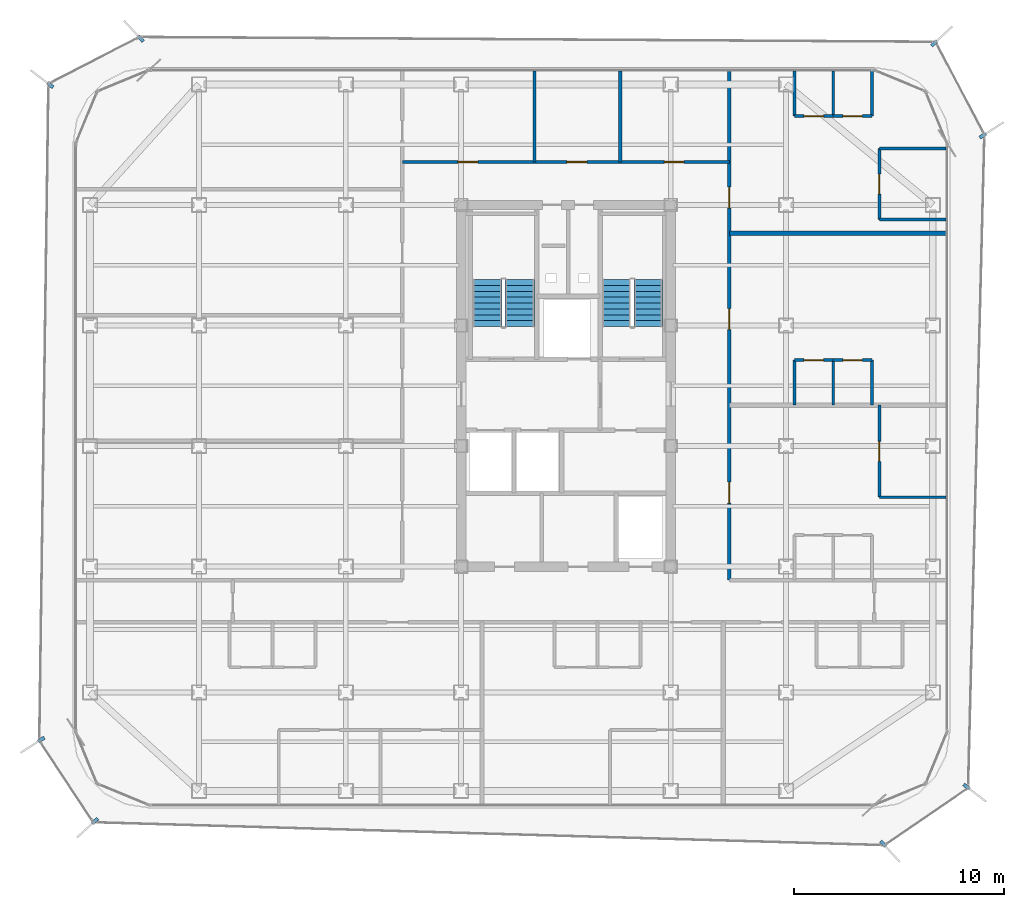
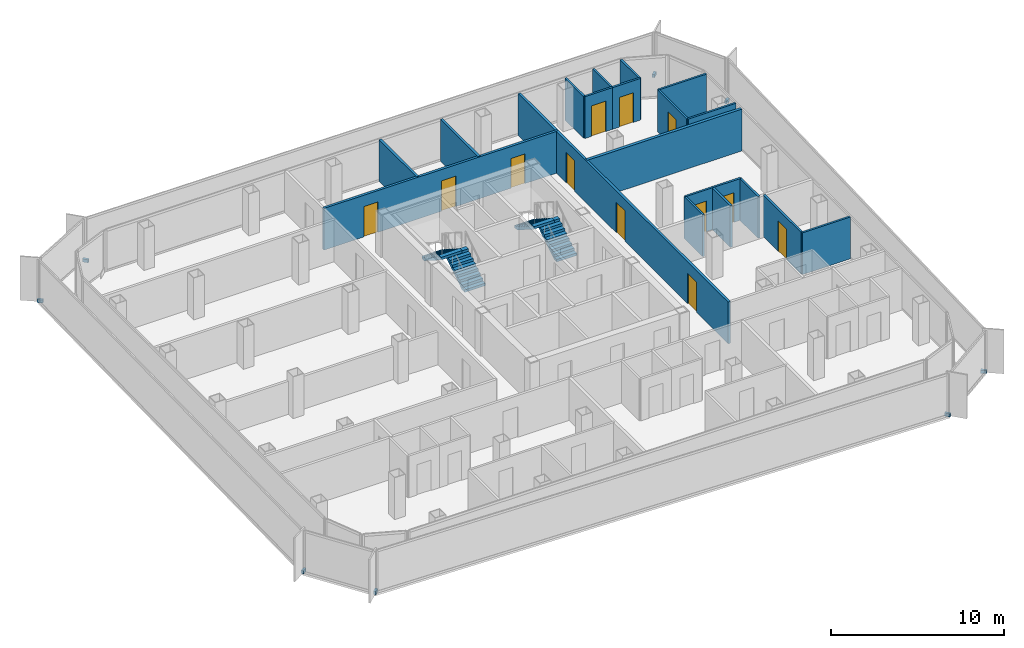
# One storey, part 12 of 15: 20 walls, 12 doors, 8 discrete accessories, 4 stair flights, 12 openings, 2 elements without a shape of their own.
"""IFC4 building model written with IfcOpenShell, lengths in metres."""

from ifc_helpers import new_model, si_unit, direction, frame, frame_2d, origin, origin_2d, place, context, subcontext, project, spatial, polyline, rectangle, outline, extrude, source, transform, mapped, material, layer, layer_set, type_object, element, fill, aggregate, save


model = new_model("IFC4")

# Units and contexts
model_context = context("Model", 3, precision=1e-05, world=origin(), true_north=direction((0.0, 1.0)))
body_context = subcontext(model_context, "Body", "Model", "MODEL_VIEW")
ifc_project = project(units=[si_unit("LENGTHUNIT", "METRE"), si_unit("AREAUNIT", "SQUARE_METRE"), si_unit("VOLUMEUNIT", "CUBIC_METRE"), si_unit("PLANEANGLEUNIT", "RADIAN"), si_unit("MASSUNIT", "GRAM", prefix="KILO")], contexts=[model_context])

# Site, building, storey
site_placement = place(None, origin())
site = spatial("IfcSite", under=ifc_project, at=site_placement, CompositionType="ELEMENT")
building_placement = place(site_placement, origin())
building = spatial("IfcBuilding", under=site, at=building_placement, Name="Kolveth Station Tower", CompositionType="ELEMENT")
storey_placement = place(building_placement, frame((0.0, 0.0, 202.800048828125)))
storey = spatial("IfcBuildingStorey", under=building, at=storey_placement, Name="L57", CompositionType="ELEMENT", Elevation=202.800048828125)

# Wall
ifc_material_1 = material(Name="Moisture-resistant gypsum partition")
ifc_layer_1 = layer(ifc_material_1, 0.135009765625)
ifc_layer_set_1 = layer_set([ifc_layer_1], Name="Moisture-resistant gypsum partition")
wall_type_1 = type_object("IfcWallType", Name="Wall_IW-135", PredefinedType="PARTITIONING", material=ifc_layer_set_1)
wall_1_placement = place(storey_placement, frame((38.449951171875, 14.80810546875, 0.0), z_axis=(0.0, 0.0, 1.0), x_axis=(1.0, 0.0, 0.0)))
element("IfcWall", 1, at=wall_1_placement, inside=storey, type_object=wall_type_1, Name="L57 Partition Wall WL-L57-E1-BDH0", PredefinedType="PARTITIONING", context=body_context, shape_type="SweptSolid", body=[
    extrude(rectangle(XDim=3.18994140625, YDim=0.135009765625, at=frame_2d((1.594970703125, 0.0))), origin(), (0.0, 0.0, 1.0), 2.949951171875),
])

# Wall, opening, door
wall_2_placement = place(storey_placement, frame((38.449951171875, 14.80810546875, 0.0), z_axis=(0.0, 0.0, 1.0), x_axis=(0.0, 1.0, 0.0)))
wall_2 = element("IfcWall", 2, at=wall_2_placement, inside=storey, type_object=wall_type_1, Name="L57 Partition Wall WL-L57-E1-BDV1", PredefinedType="PARTITIONING", context=body_context, shape_type="SweptSolid", body=[
    extrude(rectangle(XDim=4.391845703125, YDim=0.135009765625, at=frame_2d((2.19580078125, 0.0))), origin(), (0.0, 0.0, 1.0), 2.949951171875),
])
opening_1_placement = place(wall_2_placement, frame((1.716064453125, 0.0, 0.0)))
opening_1 = element("IfcOpeningElement", 3, at=opening_1_placement, cuts=wall_2, Name="Opening ID1", PredefinedType="OPENING", context=body_context, shape_type="SweptSolid", body=[
    extrude(rectangle(XDim=0.949951171875, YDim=2.14990234375, at=frame_2d((0.47509765625, 1.074951171875))), frame((0.0, 0.077392578125, 0.0), z_axis=(0.0, -1.0, 0.0), x_axis=(1.0, 0.0, 0.0)), (0.0, 0.0, 1.0), 0.155029296875),
])
ifc_material_2 = material(Name="Acoustic hardwood leaf and aluminium frame", Category="wood")
door_type_1 = type_object("IfcDoorType", Name="Door_ID1", OperationType="NOTDEFINED", PredefinedType="DOOR", material=ifc_material_2)
door_1_placement = place(opening_1_placement, frame((0.949951171875, 0.0, 0.0), z_axis=(0.0, 0.0, 1.0), x_axis=(-1.0, 0.0, 0.0)))
door_1 = element("IfcDoor", 4, at=door_1_placement, inside=storey, type_object=door_type_1, Name="Flat L57-E1 Bedroom 1 Door", OperationType="SINGLE_SWING_RIGHT", OverallHeight=2.14990234375, OverallWidth=0.949951171875, PredefinedType="DOOR", context=body_context, shape_type="SweptSolid", body=[
    extrude(rectangle(XDim=0.949951171875, YDim=2.14990234375, at=frame_2d((0.47509765625, 1.074951171875))), frame((0.0, 0.02490234375, 0.0), z_axis=(0.0, -1.0, 0.0), x_axis=(1.0, 0.0, 0.0)), (0.0, 0.0, 1.0), 0.050048828125),
])
fill(opening_1, door_1)

wall_3_placement = place(storey_placement, frame((34.39990234375, 21.35009765625, 0.0), z_axis=(0.0, 0.0, 1.0), x_axis=(1.0, 0.0, 0.0)))
wall_3 = element("IfcWall", 5, at=wall_3_placement, inside=storey, type_object=wall_type_1, Name="L57 Partition Wall WL-L57-E2-IBHK", PredefinedType="PARTITIONING", context=body_context, shape_type="SweptSolid", body=[
    extrude(rectangle(XDim=1.85009765625, YDim=0.135009765625, at=frame_2d((0.925048828125, 0.0))), origin(), (0.0, 0.0, 1.0), 2.949951171875),
])
opening_2_placement = place(wall_3_placement, frame((0.445068359375, 0.0, 0.0)))
opening_2 = element("IfcOpeningElement", 6, at=opening_2_placement, cuts=wall_3, Name="Opening ID1", PredefinedType="OPENING", context=body_context, shape_type="SweptSolid", body=[
    extrude(rectangle(XDim=0.949951171875, YDim=2.14990234375, at=frame_2d((0.47509765625, 1.074951171875))), frame((0.0, 0.077392578125, 0.0), z_axis=(0.0, -1.0, 0.0), x_axis=(1.0, 0.0, 0.0)), (0.0, 0.0, 1.0), 0.155029296875),
])
door_2_placement = place(opening_2_placement, origin())
door_2 = element("IfcDoor", 7, at=door_2_placement, inside=storey, type_object=door_type_1, Name="Flat L57-E2 Kitchen Door", OperationType="SINGLE_SWING_RIGHT", OverallHeight=2.14990234375, OverallWidth=0.949951171875, PredefinedType="DOOR", context=body_context, shape_type="SweptSolid", body=[
    extrude(rectangle(XDim=0.949951171875, YDim=2.14990234375, at=frame_2d((0.47509765625, 1.074951171875))), frame((0.0, 0.02490234375, 0.0), z_axis=(0.0, -1.0, 0.0), x_axis=(1.0, 0.0, 0.0)), (0.0, 0.0, 1.0), 0.050048828125),
])
fill(opening_2, door_2)

wall_4_placement = place(storey_placement, frame((36.25, 21.35009765625, 0.0), z_axis=(0.0, 0.0, 1.0), x_axis=(1.0, 0.0, 0.0)))
wall_4 = element("IfcWall", 8, at=wall_4_placement, inside=storey, type_object=wall_type_1, Name="L57 Partition Wall WL-L57-E2-IBHB", PredefinedType="PARTITIONING", context=body_context, shape_type="SweptSolid", body=[
    extrude(rectangle(XDim=1.85009765625, YDim=0.135009765625, at=frame_2d((0.925048828125, 0.0))), origin(), (0.0, 0.0, 1.0), 2.949951171875),
])
opening_3_placement = place(wall_4_placement, frame((0.465087890625, 0.0, 0.0)))
opening_3 = element("IfcOpeningElement", 9, at=opening_3_placement, cuts=wall_4, Name="Opening ID2", PredefinedType="OPENING", context=body_context, shape_type="SweptSolid", body=[
    extrude(rectangle(XDim=0.919921875, YDim=2.10009765625, at=frame_2d((0.4599609375, 1.050048828125))), frame((0.0, 0.077392578125, 0.0), z_axis=(0.0, -1.0, 0.0), x_axis=(1.0, 0.0, 0.0)), (0.0, 0.0, 1.0), 0.155029296875),
])
ifc_material_3 = material(Name="Moisture-resistant hardwood leaf", Category="wood")
door_type_2 = type_object("IfcDoorType", Name="Door_ID2", OperationType="NOTDEFINED", PredefinedType="DOOR", material=ifc_material_3)
door_3_placement = place(opening_3_placement, origin())
door_3 = element("IfcDoor", 10, at=door_3_placement, inside=storey, type_object=door_type_2, Name="Flat L57-E2 Bathroom Door", OperationType="SINGLE_SWING_LEFT", OverallHeight=2.10009765625, OverallWidth=0.919921875, PredefinedType="DOOR", context=body_context, shape_type="SweptSolid", body=[
    extrude(rectangle(XDim=0.919921875, YDim=2.10009765625, at=frame_2d((0.4599609375, 1.050048828125))), frame((0.0, 0.02490234375, 0.0), z_axis=(0.0, -1.0, 0.0), x_axis=(1.0, 0.0, 0.0)), (0.0, 0.0, 1.0), 0.050048828125),
])
fill(opening_3, door_3)

# Walls
for number, where, z_axis, x_axis, name in (
    (11, (34.39990234375, 19.199951171875, 0.0), (0.0, 0.0, 1.0), (0.0, 1.0, 0.0), "L57 Partition Wall WL-L57-E2-IBV0"),
    (12, (36.25, 19.199951171875, 0.0), (0.0, 0.0, 1.0), (0.0, 1.0, 0.0), "L57 Partition Wall WL-L57-E2-IBV1"),
    (13, (38.10009765625, 19.199951171875, 0.0), (0.0, 0.0, 1.0), (0.0, 1.0, 0.0), "L57 Partition Wall WL-L57-E2-IBV2"),
):
    element("IfcWall", number, at=place(storey_placement, frame(where, z_axis=z_axis, x_axis=x_axis)), inside=storey, type_object=wall_type_1, Name=name, PredefinedType="PARTITIONING", context=body_context, shape_type="SweptSolid", body=[
        extrude(rectangle(XDim=2.150146484375, YDim=0.135009765625, at=frame_2d((1.0751953125, 0.0))), origin(), (0.0, 0.0, 1.0), 2.949951171875),
    ])

# Wall, opening, door
wall_5_placement = place(storey_placement, frame((34.39990234375, 32.989990234375, 0.0), z_axis=(0.0, 0.0, 1.0), x_axis=(1.0, 0.0, 0.0)))
wall_5 = element("IfcWall", 14, at=wall_5_placement, inside=storey, type_object=wall_type_1, Name="L57 Partition Wall WL-L57-E3-IBHK", PredefinedType="PARTITIONING", context=body_context, shape_type="SweptSolid", body=[
    extrude(rectangle(XDim=1.85009765625, YDim=0.135009765625, at=frame_2d((0.925048828125, 0.0))), origin(), (0.0, 0.0, 1.0), 2.949951171875),
])
opening_4_placement = place(wall_5_placement, frame((0.445068359375, 0.0, 0.0)))
opening_4 = element("IfcOpeningElement", 15, at=opening_4_placement, cuts=wall_5, Name="Opening ID1", PredefinedType="OPENING", context=body_context, shape_type="SweptSolid", body=[
    extrude(rectangle(XDim=0.949951171875, YDim=2.14990234375, at=frame_2d((0.47509765625, 1.074951171875))), frame((0.0, 0.077392578125, 0.0), z_axis=(0.0, -1.0, 0.0), x_axis=(1.0, 0.0, 0.0)), (0.0, 0.0, 1.0), 0.155029296875),
])
door_4_placement = place(opening_4_placement, frame((0.949951171875, 0.0, 0.0), z_axis=(0.0, 0.0, 1.0), x_axis=(-1.0, 0.0, 0.0)))
door_4 = element("IfcDoor", 16, at=door_4_placement, inside=storey, type_object=door_type_1, Name="Flat L57-E3 Kitchen Door", OperationType="SINGLE_SWING_LEFT", OverallHeight=2.14990234375, OverallWidth=0.949951171875, PredefinedType="DOOR", context=body_context, shape_type="SweptSolid", body=[
    extrude(rectangle(XDim=0.949951171875, YDim=2.14990234375, at=frame_2d((0.47509765625, 1.074951171875))), frame((0.0, 0.02490234375, 0.0), z_axis=(0.0, -1.0, 0.0), x_axis=(1.0, 0.0, 0.0)), (0.0, 0.0, 1.0), 0.050048828125),
])
fill(opening_4, door_4)

wall_6_placement = place(storey_placement, frame((36.25, 32.989990234375, 0.0), z_axis=(0.0, 0.0, 1.0), x_axis=(1.0, 0.0, 0.0)))
wall_6 = element("IfcWall", 17, at=wall_6_placement, inside=storey, type_object=wall_type_1, Name="L57 Partition Wall WL-L57-E3-IBHB", PredefinedType="PARTITIONING", context=body_context, shape_type="SweptSolid", body=[
    extrude(rectangle(XDim=1.85009765625, YDim=0.135009765625, at=frame_2d((0.925048828125, 0.0))), origin(), (0.0, 0.0, 1.0), 2.949951171875),
])
opening_5_placement = place(wall_6_placement, frame((0.465087890625, 0.0, 0.0)))
opening_5 = element("IfcOpeningElement", 18, at=opening_5_placement, cuts=wall_6, Name="Opening ID2", PredefinedType="OPENING", context=body_context, shape_type="SweptSolid", body=[
    extrude(rectangle(XDim=0.919921875, YDim=2.10009765625, at=frame_2d((0.4599609375, 1.050048828125))), frame((0.0, 0.077392578125, 0.0), z_axis=(0.0, -1.0, 0.0), x_axis=(1.0, 0.0, 0.0)), (0.0, 0.0, 1.0), 0.155029296875),
])
door_5_placement = place(opening_5_placement, frame((0.919921875, 0.0, 0.0), z_axis=(0.0, 0.0, 1.0), x_axis=(-1.0, 0.0, 0.0)))
door_5 = element("IfcDoor", 19, at=door_5_placement, inside=storey, type_object=door_type_2, Name="Flat L57-E3 Bathroom Door", OperationType="SINGLE_SWING_RIGHT", OverallHeight=2.10009765625, OverallWidth=0.919921875, PredefinedType="DOOR", context=body_context, shape_type="SweptSolid", body=[
    extrude(rectangle(XDim=0.919921875, YDim=2.10009765625, at=frame_2d((0.4599609375, 1.050048828125))), frame((0.0, 0.02490234375, 0.0), z_axis=(0.0, -1.0, 0.0), x_axis=(1.0, 0.0, 0.0)), (0.0, 0.0, 1.0), 0.050048828125),
])
fill(opening_5, door_5)

# Walls
for number, where, z_axis, x_axis, name in (
    (20, (34.39990234375, 32.989990234375, 0.0), (0.0, 0.0, 1.0), (0.0, 1.0, 0.0), "L57 Partition Wall WL-L57-E3-IBV0"),
    (21, (36.25, 32.989990234375, 0.0), (0.0, 0.0, 1.0), (0.0, 1.0, 0.0), "L57 Partition Wall WL-L57-E3-IBV1"),
    (22, (38.10009765625, 32.989990234375, 0.0), (0.0, 0.0, 1.0), (0.0, 1.0, 0.0), "L57 Partition Wall WL-L57-E3-IBV2"),
):
    element("IfcWall", number, at=place(storey_placement, frame(where, z_axis=z_axis, x_axis=x_axis)), inside=storey, type_object=wall_type_1, Name=name, PredefinedType="PARTITIONING", context=body_context, shape_type="SweptSolid", body=[
        extrude(rectangle(XDim=2.14990234375, YDim=0.135009765625, at=frame_2d((1.074951171875, 0.0))), origin(), (0.0, 0.0, 1.0), 2.949951171875),
    ])
for number, where, z_axis, x_axis, name in (
    (23, (38.449951171875, 28.050048828125, 0.0), (0.0, 0.0, 1.0), (1.0, 0.0, 0.0), "L57 Partition Wall WL-L57-E3-BDH0"),
    (24, (38.449951171875, 31.449951171875, 0.0), (0.0, 0.0, 1.0), (1.0, 0.0, 0.0), "L57 Partition Wall WL-L57-E3-BDHE"),
):
    element("IfcWall", number, at=place(storey_placement, frame(where, z_axis=z_axis, x_axis=x_axis)), inside=storey, type_object=wall_type_1, Name=name, PredefinedType="PARTITIONING", context=body_context, shape_type="SweptSolid", body=[
        extrude(rectangle(XDim=3.18994140625, YDim=0.135009765625, at=frame_2d((1.594970703125, 0.0))), origin(), (0.0, 0.0, 1.0), 2.949951171875),
    ])

# Wall, opening, door
wall_7_placement = place(storey_placement, frame((38.449951171875, 28.050048828125, 0.0), z_axis=(0.0, 0.0, 1.0), x_axis=(0.0, 1.0, 0.0)))
wall_7 = element("IfcWall", 25, at=wall_7_placement, inside=storey, type_object=wall_type_1, Name="L57 Partition Wall WL-L57-E3-BDV1", PredefinedType="PARTITIONING", context=body_context, shape_type="SweptSolid", body=[
    extrude(rectangle(XDim=3.39990234375, YDim=0.135009765625, at=frame_2d((1.699951171875, 0.0))), origin(), (0.0, 0.0, 1.0), 2.949951171875),
])
opening_6_placement = place(wall_7_placement, frame((1.219970703125, 0.0, 0.0)))
opening_6 = element("IfcOpeningElement", 26, at=opening_6_placement, cuts=wall_7, Name="Opening ID1", PredefinedType="OPENING", context=body_context, shape_type="SweptSolid", body=[
    extrude(rectangle(XDim=0.949951171875, YDim=2.14990234375, at=frame_2d((0.47509765625, 1.074951171875))), frame((0.0, 0.077392578125, 0.0), z_axis=(0.0, -1.0, 0.0), x_axis=(1.0, 0.0, 0.0)), (0.0, 0.0, 1.0), 0.155029296875),
])
door_6_placement = place(opening_6_placement, frame((0.949951171875, 0.0, 0.0), z_axis=(0.0, 0.0, 1.0), x_axis=(-1.0, 0.0, 0.0)))
door_6 = element("IfcDoor", 27, at=door_6_placement, inside=storey, type_object=door_type_1, Name="Flat L57-E3 Bedroom 1 Door", OperationType="SINGLE_SWING_LEFT", OverallHeight=2.14990234375, OverallWidth=0.949951171875, PredefinedType="DOOR", context=body_context, shape_type="SweptSolid", body=[
    extrude(rectangle(XDim=0.949951171875, YDim=2.14990234375, at=frame_2d((0.47509765625, 1.074951171875))), frame((0.0, 0.02490234375, 0.0), z_axis=(0.0, -1.0, 0.0), x_axis=(1.0, 0.0, 0.0)), (0.0, 0.0, 1.0), 0.050048828125),
])
fill(opening_6, door_6)

# Wall, openings, doors
ifc_material_4 = material(Name="Acoustic double-stud gypsum partition")
ifc_layer_2 = layer(ifc_material_4, 0.1650390625)
ifc_layer_set_2 = layer_set([ifc_layer_2], Name="Acoustic double-stud gypsum partition")
wall_type_2 = type_object("IfcWallType", Name="Wall_IW-165", PredefinedType="PARTITIONING", material=ifc_layer_set_2)
wall_8_placement = place(storey_placement, frame((15.699951171875, 30.800048828125, 0.0), z_axis=(0.0, 0.0, 1.0), x_axis=(1.0, 0.0, 0.0)))
wall_8 = element("IfcWall", 28, at=wall_8_placement, inside=storey, type_object=wall_type_2, Name="L57 Partition Wall WL-L57-RN", PredefinedType="PARTITIONING", context=body_context, shape_type="SweptSolid", body=[
    extrude(rectangle(XDim=15.60009765625, YDim=0.1650390625, at=frame_2d((7.800048828125, 0.0))), origin(), (0.0, 0.0, 1.0), 2.949951171875),
])
opening_7_placement = place(wall_8_placement, frame((2.64990234375, 0.0, 0.0)))
opening_7 = element("IfcOpeningElement", 29, at=opening_7_placement, cuts=wall_8, Name="Opening ID1", PredefinedType="OPENING", context=body_context, shape_type="SweptSolid", body=[
    extrude(rectangle(XDim=0.949951171875, YDim=2.14990234375, at=frame_2d((0.47509765625, 1.074951171875))), frame((0.0, 0.092529296875, 0.0), z_axis=(0.0, -1.0, 0.0), x_axis=(1.0, 0.0, 0.0)), (0.0, 0.0, 1.0), 0.18505859375),
])
opening_8_placement = place(wall_8_placement, frame((7.85009765625, 0.0, 0.0)))
opening_8 = element("IfcOpeningElement", 30, at=opening_8_placement, cuts=wall_8, Name="Opening ID1", PredefinedType="OPENING", context=body_context, shape_type="SweptSolid", body=[
    extrude(rectangle(XDim=0.949951171875, YDim=2.14990234375, at=frame_2d((0.47509765625, 1.074951171875))), frame((0.0, 0.092529296875, 0.0), z_axis=(0.0, -1.0, 0.0), x_axis=(1.0, 0.0, 0.0)), (0.0, 0.0, 1.0), 0.18505859375),
])
opening_9_placement = place(wall_8_placement, frame((12.5, 0.0, 0.0)))
opening_9 = element("IfcOpeningElement", 31, at=opening_9_placement, cuts=wall_8, Name="Opening ID2", PredefinedType="OPENING", context=body_context, shape_type="SweptSolid", body=[
    extrude(rectangle(XDim=0.919921875, YDim=2.10009765625, at=frame_2d((0.4599609375, 1.050048828125))), frame((0.0, 0.092529296875, 0.0), z_axis=(0.0, -1.0, 0.0), x_axis=(1.0, 0.0, 0.0)), (0.0, 0.0, 1.0), 0.18505859375),
])
door_7_placement = place(opening_7_placement, origin())
door_7 = element("IfcDoor", 32, at=door_7_placement, inside=storey, type_object=door_type_1, Name="L57 Residents' Study Lounge Door", OperationType="SINGLE_SWING_LEFT", OverallHeight=2.14990234375, OverallWidth=0.949951171875, PredefinedType="DOOR", context=body_context, shape_type="SweptSolid", body=[
    extrude(rectangle(XDim=0.949951171875, YDim=2.14990234375, at=frame_2d((0.47509765625, 1.074951171875))), frame((0.0, 0.02490234375, 0.0), z_axis=(0.0, -1.0, 0.0), x_axis=(1.0, 0.0, 0.0)), (0.0, 0.0, 1.0), 0.050048828125),
])
fill(opening_7, door_7)
door_8_placement = place(opening_8_placement, origin())
door_8 = element("IfcDoor", 33, at=door_8_placement, inside=storey, type_object=door_type_1, Name="L57 Residents' Linen Store Door", OperationType="SINGLE_SWING_RIGHT", OverallHeight=2.14990234375, OverallWidth=0.949951171875, PredefinedType="DOOR", context=body_context, shape_type="SweptSolid", body=[
    extrude(rectangle(XDim=0.949951171875, YDim=2.14990234375, at=frame_2d((0.47509765625, 1.074951171875))), frame((0.0, 0.02490234375, 0.0), z_axis=(0.0, -1.0, 0.0), x_axis=(1.0, 0.0, 0.0)), (0.0, 0.0, 1.0), 0.050048828125),
])
fill(opening_8, door_8)
door_9_placement = place(opening_9_placement, origin())
door_9 = element("IfcDoor", 34, at=door_9_placement, inside=storey, type_object=door_type_2, Name="L57 Accessible Residents' WC Door", OperationType="SINGLE_SWING_LEFT", OverallHeight=2.10009765625, OverallWidth=0.919921875, PredefinedType="DOOR", context=body_context, shape_type="SweptSolid", body=[
    extrude(rectangle(XDim=0.919921875, YDim=2.10009765625, at=frame_2d((0.4599609375, 1.050048828125))), frame((0.0, 0.02490234375, 0.0), z_axis=(0.0, -1.0, 0.0), x_axis=(1.0, 0.0, 0.0)), (0.0, 0.0, 1.0), 0.050048828125),
])
fill(opening_9, door_9)

wall_9_placement = place(storey_placement, frame((31.300048828125, 10.85009765625, 0.0), z_axis=(0.0, 0.0, 1.0), x_axis=(0.0, 1.0, 0.0)))
wall_9 = element("IfcWall", 35, at=wall_9_placement, inside=storey, type_object=wall_type_2, Name="L57 Partition Wall WL-L57-RE", PredefinedType="PARTITIONING", context=body_context, shape_type="SweptSolid", body=[
    extrude(rectangle(XDim=24.289794921875, YDim=0.1650390625, at=frame_2d((12.14501953125, 0.0))), origin(), (0.0, 0.0, 1.0), 2.949951171875),
])
opening_10_placement = place(wall_9_placement, frame((3.675048828125, 0.0, 0.0)))
opening_10 = element("IfcOpeningElement", 36, at=opening_10_placement, cuts=wall_9, Name="Opening FD3", PredefinedType="OPENING", context=body_context, shape_type="SweptSolid", body=[
    extrude(rectangle(XDim=1.0, YDim=2.14990234375, at=frame_2d((0.5, 1.074951171875))), frame((0.0, 0.092529296875, 0.0), z_axis=(0.0, -1.0, 0.0), x_axis=(1.0, 0.0, 0.0)), (0.0, 0.0, 1.0), 0.18505859375),
])
opening_11_placement = place(wall_9_placement, frame((11.949951171875, 0.0, 0.0)))
opening_11 = element("IfcOpeningElement", 37, at=opening_11_placement, cuts=wall_9, Name="Opening FD3", PredefinedType="OPENING", context=body_context, shape_type="SweptSolid", body=[
    extrude(rectangle(XDim=1.0, YDim=2.14990234375, at=frame_2d((0.5, 1.074951171875))), frame((0.0, 0.092529296875, 0.0), z_axis=(0.0, -1.0, 0.0), x_axis=(1.0, 0.0, 0.0)), (0.0, 0.0, 1.0), 0.18505859375),
])
opening_12_placement = place(wall_9_placement, frame((17.75, 0.0, 0.0)))
opening_12 = element("IfcOpeningElement", 38, at=opening_12_placement, cuts=wall_9, Name="Opening FD3", PredefinedType="OPENING", context=body_context, shape_type="SweptSolid", body=[
    extrude(rectangle(XDim=1.0, YDim=2.14990234375, at=frame_2d((0.5, 1.074951171875))), frame((0.0, 0.092529296875, 0.0), z_axis=(0.0, -1.0, 0.0), x_axis=(1.0, 0.0, 0.0)), (0.0, 0.0, 1.0), 0.18505859375),
])
ifc_material_5 = material(Name="Fire-rated hardwood leaf and aluminium frame", Category="wood")
door_type_3 = type_object("IfcDoorType", Name="Door_FD3", OperationType="NOTDEFINED", PredefinedType="DOOR", material=ifc_material_5)
door_10_placement = place(opening_10_placement, frame((1.0, 0.0, 0.0), z_axis=(0.0, 0.0, 1.0), x_axis=(-1.0, 0.0, 0.0)))
door_10 = element("IfcDoor", 39, at=door_10_placement, inside=storey, type_object=door_type_3, Name="Flat L57-E1 Entrance Door", OperationType="SINGLE_SWING_LEFT", OverallHeight=2.14990234375, OverallWidth=1.0, PredefinedType="DOOR", context=body_context, shape_type="SweptSolid", body=[
    extrude(rectangle(XDim=1.0, YDim=2.14990234375, at=frame_2d((0.5, 1.074951171875))), frame((0.0, 0.02490234375, 0.0), z_axis=(0.0, -1.0, 0.0), x_axis=(1.0, 0.0, 0.0)), (0.0, 0.0, 1.0), 0.050048828125),
])
fill(opening_10, door_10)
door_11_placement = place(opening_11_placement, frame((1.0, 0.0, 0.0), z_axis=(0.0, 0.0, 1.0), x_axis=(-1.0, 0.0, 0.0)))
door_11 = element("IfcDoor", 40, at=door_11_placement, inside=storey, type_object=door_type_3, Name="Flat L57-E2 Entrance Door", OperationType="SINGLE_SWING_RIGHT", OverallHeight=2.14990234375, OverallWidth=1.0, PredefinedType="DOOR", context=body_context, shape_type="SweptSolid", body=[
    extrude(rectangle(XDim=1.0, YDim=2.14990234375, at=frame_2d((0.5, 1.074951171875))), frame((0.0, 0.02490234375, 0.0), z_axis=(0.0, -1.0, 0.0), x_axis=(1.0, 0.0, 0.0)), (0.0, 0.0, 1.0), 0.050048828125),
])
fill(opening_11, door_11)
door_12_placement = place(opening_12_placement, frame((1.0, 0.0, 0.0), z_axis=(0.0, 0.0, 1.0), x_axis=(-1.0, 0.0, 0.0)))
door_12 = element("IfcDoor", 41, at=door_12_placement, inside=storey, type_object=door_type_3, Name="Flat L57-E3 Entrance Door", OperationType="SINGLE_SWING_LEFT", OverallHeight=2.14990234375, OverallWidth=1.0, PredefinedType="DOOR", context=body_context, shape_type="SweptSolid", body=[
    extrude(rectangle(XDim=1.0, YDim=2.14990234375, at=frame_2d((0.5, 1.074951171875))), frame((0.0, 0.02490234375, 0.0), z_axis=(0.0, -1.0, 0.0), x_axis=(1.0, 0.0, 0.0)), (0.0, 0.0, 1.0), 0.050048828125),
])
fill(opening_12, door_12)

# Walls
for number, where, z_axis, x_axis, name in (
    (42, (22.0, 30.800048828125, 0.0), (0.0, 0.0, 1.0), (0.0, 1.0, 0.0), "L57 Partition Wall WL-L57-RN-P1"),
    (43, (26.10009765625, 30.800048828125, 0.0), (0.0, 0.0, 1.0), (0.0, 1.0, 0.0), "L57 Partition Wall WL-L57-RN-P2"),
):
    element("IfcWall", number, at=place(storey_placement, frame(where, z_axis=z_axis, x_axis=x_axis)), inside=storey, type_object=wall_type_2, Name=name, PredefinedType="PARTITIONING", context=body_context, shape_type="SweptSolid", body=[
        extrude(rectangle(XDim=4.33984375, YDim=0.1650390625, at=frame_2d((2.169921875, 0.0))), origin(), (0.0, 0.0, 1.0), 2.949951171875),
    ])
ifc_material_6 = material(Name="Acoustic fire-rated gypsum blockwork", Category="masonry")
ifc_layer_3 = layer(ifc_material_6, 0.199951171875)
ifc_layer_set_3 = layer_set([ifc_layer_3], Name="Acoustic fire-rated gypsum blockwork")
wall_type_3 = type_object("IfcWallType", Name="Wall_IW-200", PredefinedType="PARTITIONING", material=ifc_layer_set_3)
wall_10_placement = place(storey_placement, frame((31.300048828125, 27.39990234375, 0.0), z_axis=(0.0, 0.0, 1.0), x_axis=(1.0, 0.0, 0.0)))
element("IfcWall", 44, at=wall_10_placement, inside=storey, type_object=wall_type_3, Name="L57 Partition Wall WL-L57-REU-2", PredefinedType="PARTITIONING", context=body_context, shape_type="SweptSolid", body=[
    extrude(rectangle(XDim=10.33984375, YDim=0.199951171875, at=frame_2d((5.169921875, 0.0))), origin(), (0.0, 0.0, 1.0), 2.949951171875),
])

# Stair, stair flights
ifc_material_7 = material(Name="Concrete C40/50", Category="concrete")
stair_type_1 = type_object("IfcStairType", Name="Stair_ST1", PredefinedType="HALF_TURN_STAIR", material=ifc_material_7)
stair_1_placement = place(storey_placement, origin())
stair_1 = element("IfcStair", 45, at=stair_1_placement, inside=storey, type_object=stair_type_1, Name="L57 Tower Exit Stair ST1", PredefinedType="HALF_TURN_STAIR")
ifc_layer_4 = layer(ifc_material_7, 0.179931640625)
ifc_layer_set_4 = layer_set([ifc_layer_4], Name="Concrete C40/50")
stair_flight_type_1 = type_object("IfcStairFlightType", Name="Flight_ST1", PredefinedType="STRAIGHT", material=ifc_layer_set_4)
stair_flight_1_placement = place(storey_placement, frame((21.300048828125, 22.949951171875, 0.0), z_axis=(0.0, 0.0, 1.0), x_axis=(0.0, 1.0, 0.0)))
stair_flight_1 = element("IfcStairFlight", 46, at=stair_flight_1_placement, type_object=stair_flight_type_1, Name="ST1 flight 1", NumberOfRisers=9, NumberOfTreads=8, PredefinedType="STRAIGHT", RiserHeight=0.177777778, TreadLength=0.28, context=body_context, shape_type="SweptSolid", body=[
    extrude(outline(polyline([(0.0, 0.0), (0.0, 0.177734375), (0.280029296875, 0.177734375), (0.280029296875, 0.35546875), (0.56005859375, 0.35546875), (0.56005859375, 0.533447265625), (0.840087890625, 0.533447265625), (0.840087890625, 0.711181640625), (1.1201171875, 0.711181640625), (1.1201171875, 0.888916015625), (1.39990234375, 0.888916015625), (1.39990234375, 1.066650390625), (1.679931640625, 1.066650390625), (1.679931640625, 1.244384765625), (1.9599609375, 1.244384765625), (1.9599609375, 1.422119140625), (2.239990234375, 1.422119140625), (2.239990234375, 1.60009765625), (2.239990234375, 1.24462890625), (0.27978515625, 0.0), (0.0, 0.0)])), frame((0.0, 0.699951171875, 0.0), z_axis=(0.0, -1.0, 0.0), x_axis=(1.0, 0.0, 0.0)), (0.0, 0.0, 1.0), 1.39990234375),
])
stair_flight_2_placement = place(storey_placement, frame((19.739990234375, 25.18994140625, 1.599853515625), z_axis=(0.0, 0.0, 1.0), x_axis=(0.0, -1.0, 0.0)))
stair_flight_2 = element("IfcStairFlight", 47, at=stair_flight_2_placement, type_object=stair_flight_type_1, Name="ST1 flight 2", NumberOfRisers=9, NumberOfTreads=8, PredefinedType="STRAIGHT", RiserHeight=0.177777778, TreadLength=0.28, context=body_context, shape_type="SweptSolid", body=[
    extrude(outline(polyline([(0.0, 0.0), (0.0, 0.177734375), (0.280029296875, 0.177734375), (0.280029296875, 0.35546875), (0.56005859375, 0.35546875), (0.56005859375, 0.533447265625), (0.840087890625, 0.533447265625), (0.840087890625, 0.711181640625), (1.1201171875, 0.711181640625), (1.1201171875, 0.888916015625), (1.39990234375, 0.888916015625), (1.39990234375, 1.066650390625), (1.679931640625, 1.066650390625), (1.679931640625, 1.244384765625), (1.9599609375, 1.244384765625), (1.9599609375, 1.422119140625), (2.239990234375, 1.422119140625), (2.239990234375, 1.60009765625), (2.239990234375, 1.24462890625), (0.27978515625, 0.0), (0.0, 0.0)])), frame((0.0, 0.699951171875, 0.0), z_axis=(0.0, -1.0, 0.0), x_axis=(1.0, 0.0, 0.0)), (0.0, 0.0, 1.0), 1.39990234375),
])
aggregate(stair_1, [stair_flight_1, stair_flight_2])

stair_type_2 = type_object("IfcStairType", Name="Stair_ST2", PredefinedType="HALF_TURN_STAIR", material=ifc_material_7)
stair_2_placement = place(storey_placement, origin())
stair_2 = element("IfcStair", 48, at=stair_2_placement, inside=storey, type_object=stair_type_2, Name="L57 Tower Exit Stair ST2", PredefinedType="HALF_TURN_STAIR")
ifc_layer_5 = layer(ifc_material_7, 0.179931640625)
ifc_layer_set_5 = layer_set([ifc_layer_5], Name="Concrete C40/50")
stair_flight_type_2 = type_object("IfcStairFlightType", Name="Flight_ST2", PredefinedType="STRAIGHT", material=ifc_layer_set_5)
stair_flight_3_placement = place(storey_placement, frame((27.425048828125, 22.949951171875, 0.0), z_axis=(0.0, 0.0, 1.0), x_axis=(0.0, 1.0, 0.0)))
stair_flight_3 = element("IfcStairFlight", 49, at=stair_flight_3_placement, type_object=stair_flight_type_2, Name="ST2 flight 1", NumberOfRisers=9, NumberOfTreads=8, PredefinedType="STRAIGHT", RiserHeight=0.177777778, TreadLength=0.28, context=body_context, shape_type="SweptSolid", body=[
    extrude(outline(polyline([(0.0, 0.0), (0.0, 0.177734375), (0.280029296875, 0.177734375), (0.280029296875, 0.35546875), (0.56005859375, 0.35546875), (0.56005859375, 0.533447265625), (0.840087890625, 0.533447265625), (0.840087890625, 0.711181640625), (1.1201171875, 0.711181640625), (1.1201171875, 0.888916015625), (1.39990234375, 0.888916015625), (1.39990234375, 1.066650390625), (1.679931640625, 1.066650390625), (1.679931640625, 1.244384765625), (1.9599609375, 1.244384765625), (1.9599609375, 1.422119140625), (2.239990234375, 1.422119140625), (2.239990234375, 1.60009765625), (2.239990234375, 1.24462890625), (0.27978515625, 0.0), (0.0, 0.0)])), frame((0.0, 0.675048828125, 0.0), z_axis=(0.0, -1.0, 0.0), x_axis=(1.0, 0.0, 0.0)), (0.0, 0.0, 1.0), 1.35009765625),
])
stair_flight_4_placement = place(storey_placement, frame((25.9150390625, 25.18994140625, 1.599853515625), z_axis=(0.0, 0.0, 1.0), x_axis=(0.0, -1.0, 0.0)))
stair_flight_4 = element("IfcStairFlight", 50, at=stair_flight_4_placement, type_object=stair_flight_type_2, Name="ST2 flight 2", NumberOfRisers=9, NumberOfTreads=8, PredefinedType="STRAIGHT", RiserHeight=0.177777778, TreadLength=0.28, context=body_context, shape_type="SweptSolid", body=[
    extrude(outline(polyline([(0.0, 0.0), (0.0, 0.177734375), (0.280029296875, 0.177734375), (0.280029296875, 0.35546875), (0.56005859375, 0.35546875), (0.56005859375, 0.533447265625), (0.840087890625, 0.533447265625), (0.840087890625, 0.711181640625), (1.1201171875, 0.711181640625), (1.1201171875, 0.888916015625), (1.39990234375, 0.888916015625), (1.39990234375, 1.066650390625), (1.679931640625, 1.066650390625), (1.679931640625, 1.244384765625), (1.9599609375, 1.244384765625), (1.9599609375, 1.422119140625), (2.239990234375, 1.422119140625), (2.239990234375, 1.60009765625), (2.239990234375, 1.24462890625), (0.27978515625, 0.0), (0.0, 0.0)])), frame((0.0, 0.675048828125, 0.0), z_axis=(0.0, -1.0, 0.0), x_axis=(1.0, 0.0, 0.0)), (0.0, 0.0, 1.0), 1.35009765625),
])
aggregate(stair_2, [stair_flight_3, stair_flight_4])

# Discrete accessories
ifc_material_8 = material(Name="Steel S355", Category="steel")
discrete_accessory_type = type_object("IfcDiscreteAccessoryType", Name="Bracket_BK1", PredefinedType="BRACKET", material=ifc_material_8)
shared_shape = source(origin(), body_context, "Body", "SweptSolid", [
    extrude(rectangle(XDim=0.35009765625, YDim=0.159912109375, at=origin_2d()), origin(), (0.0, 0.0, 1.0), 0.219970703125),
])
for number, where, z_axis, x_axis, name in (
    (51, (38.62890625, -1.720947265625, -0.06005859375), (0.0, 0.0, 1.0), (0.675204077514, -0.737630973935, 0.0), "L57 Double-Skin Radial Tie Bracket 1"),
    (52, (42.612060546875, 1.0, -0.06005859375), (0.0, 0.0, 1.0), (0.793565789779, -0.608484459368, 0.0), "L57 Double-Skin Radial Tie Bracket 2"),
    (53, (43.383056640625, 32.05810546875, -0.06005859375), (0.0, 0.0, 1.0), (0.841981910079, 0.539505758171, 0.0), "L57 Double-Skin Radial Tie Bracket 3"),
    (54, (41.06494140625, 36.4580078125, -0.06005859375), (0.0, 0.0, 1.0), (0.731234659312, 0.682125994975, 0.0), "L57 Double-Skin Radial Tie Bracket 4"),
    (55, (3.212890625, 36.681884765625, -0.06005859375), (0.0, 0.0, 1.0), (-0.680720868959, 0.732542898787, 0.0), "L57 Double-Skin Radial Tie Bracket 5"),
    (56, (-1.10107421875, 34.466064453125, -0.06005859375), (0.0, 0.0, 1.0), (-0.794520615517, 0.607237178966, 0.0), "L57 Double-Skin Radial Tie Bracket 6"),
    (57, (-1.530029296875, 3.248046875, -0.06005859375), (0.0, 0.0, 1.0), (-0.841510781945, -0.540240320478, 0.0), "L57 Double-Skin Radial Tie Bracket 7"),
    (58, (1.033935546875, -0.635986328125, -0.06005859375), (0.0, 0.0, 1.0), (-0.735742574804, -0.677261296414, 0.0), "L57 Double-Skin Radial Tie Bracket 8"),
):
    element("IfcDiscreteAccessory", number, at=place(storey_placement, frame(where, z_axis=z_axis, x_axis=x_axis)), inside=storey, type_object=discrete_accessory_type, Name=name, PredefinedType="BRACKET", context=body_context, shape_type="MappedRepresentation", body=[
        mapped(shared_shape, transform((0.0, 0.0, 0.0), x_axis=(1.0, 0.0, 0.0), y_axis=(0.0, 1.0, 0.0), z_axis=(0.0, 0.0, 1.0), scale=1.0)),
    ])

save(model, "model.ifc")
